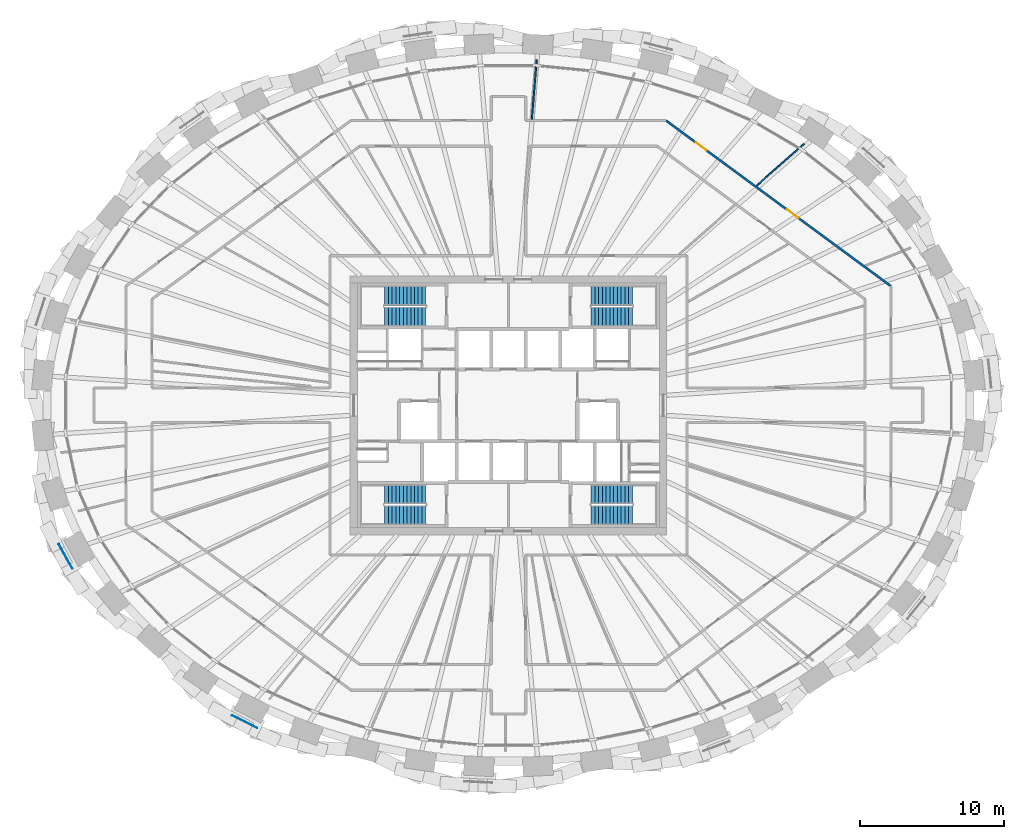
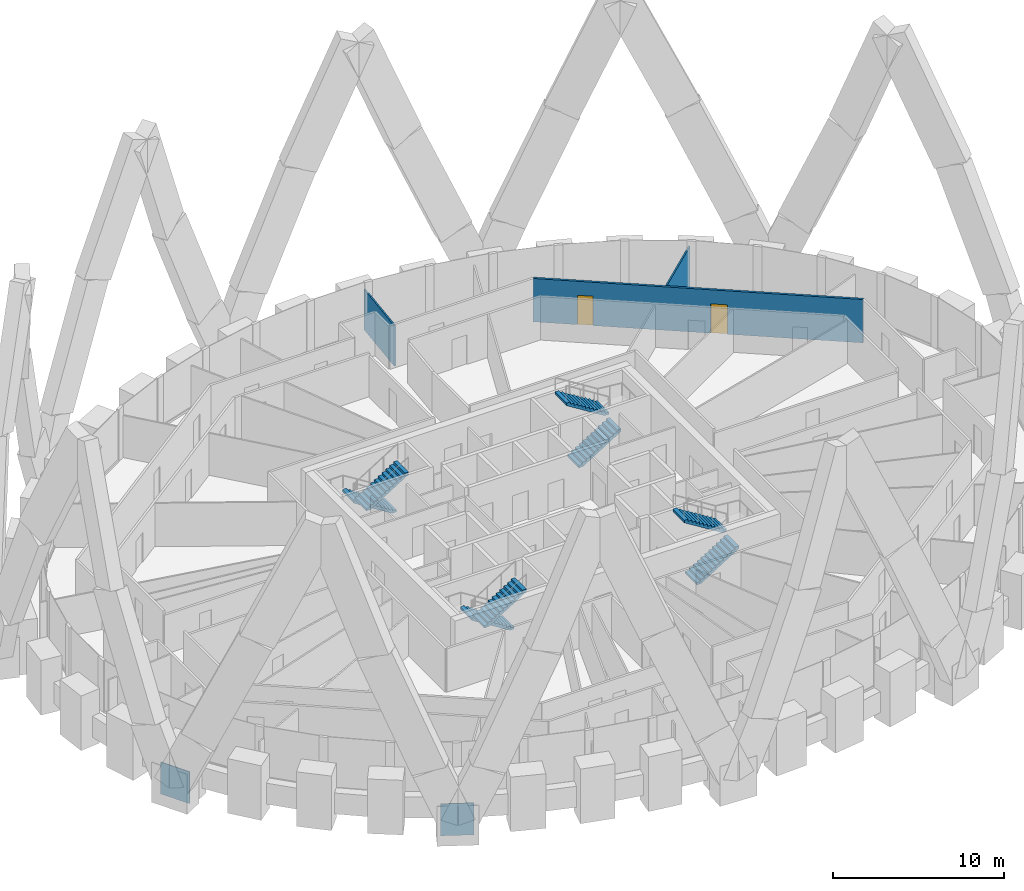
# One storey, part 13 of 15: 8 stair flights, 3 walls, 2 discrete accessories, 2 doors, 2 openings, 4 elements without a shape of their own.
"""IFC4 building model written with IfcOpenShell, lengths in metres."""

from ifc_helpers import new_model, si_unit, direction, frame, frame_2d, origin, origin_2d, place, context, subcontext, project, spatial, polyline, rectangle, outline, extrude, source, transform, mapped, material, layer, layer_set, type_object, element, fill, aggregate, save


model = new_model("IFC4")

# Units and contexts
model_context = context("Model", 3, precision=1e-05, world=origin(), true_north=direction((0.0, 1.0)))
body_context = subcontext(model_context, "Body", "Model", "MODEL_VIEW")
ifc_project = project(units=[si_unit("LENGTHUNIT", "METRE"), si_unit("AREAUNIT", "SQUARE_METRE"), si_unit("VOLUMEUNIT", "CUBIC_METRE"), si_unit("PLANEANGLEUNIT", "RADIAN"), si_unit("MASSUNIT", "GRAM", prefix="KILO")], contexts=[model_context])

# Site, building, storey
site_placement = place(None, origin())
site = spatial("IfcSite", under=ifc_project, at=site_placement, CompositionType="ELEMENT")
building_placement = place(site_placement, origin())
building = spatial("IfcBuilding", under=site, at=building_placement, Name="Embergate Tower", CompositionType="ELEMENT")
storey_placement = place(building_placement, frame((0.0, 0.0, 277.300048828125)))
storey = spatial("IfcBuildingStorey", under=building, at=storey_placement, Name="L64", CompositionType="ELEMENT", Elevation=277.300048828125)

# Walls
ifc_material_1 = material(Name="Partition dry-lined 100")
ifc_layer_1 = layer(ifc_material_1, 0.10009765625)
ifc_layer_set_1 = layer_set([ifc_layer_1], Name="Partition dry-lined 100")
wall_type_1 = type_object("IfcWallType", Name="Partition dry-lined 100", PredefinedType="PARTITIONING", material=ifc_layer_set_1)
shared_shape_1 = source(origin(), body_context, "Body", "SweptSolid", [
    extrude(rectangle(XDim=4.40869140625, YDim=0.10009765625, at=frame_2d((2.204345703125, 0.0))), origin(), (0.0, 0.0, 1.0), 3.0),
])
wall_1_placement = place(storey_placement, frame((20.5439453125, 18.18505859375, 0.0), z_axis=(0.0, 0.0, 1.0), x_axis=(-0.748773489232, -0.662825966468, 0.0)))
element("IfcWall", 1, at=wall_1_placement, inside=storey, type_object=wall_type_1, Name="IP-1 wall", PredefinedType="PARTITIONING", context=body_context, shape_type="MappedRepresentation", body=[
    mapped(shared_shape_1, transform((0.0, 0.0, 0.0))),
])
shared_shape_2 = source(origin(), body_context, "Body", "SweptSolid", [
    extrude(rectangle(XDim=4.148681640625, YDim=0.10009765625, at=frame_2d((2.07421875, 0.0))), origin(), (0.0, 0.0, 1.0), 2.89990234375),
])
wall_2_placement = place(storey_placement, frame((1.6240234375, 19.8759765625, 0.0), z_axis=(0.0, 0.0, 1.0), x_axis=(0.081209302503, 0.99669706992, 0.0)))
element("IfcWall", 2, at=wall_2_placement, inside=storey, type_object=wall_type_1, Name="IP-1 wall", PredefinedType="PARTITIONING", context=body_context, shape_type="MappedRepresentation", body=[
    mapped(shared_shape_2, transform((0.0, 0.0, 0.0))),
])

# Wall, openings, doors
ifc_material_2 = material(Name="Corridor wall dry-lined 150")
ifc_layer_2 = layer(ifc_material_2, 0.14990234375)
ifc_layer_set_2 = layer_set([ifc_layer_2], Name="Corridor wall dry-lined 150")
wall_type_2 = type_object("IfcWallType", Name="Corridor wall dry-lined 150", PredefinedType="PARTITIONING", material=ifc_layer_set_2)
shared_shape_3 = source(origin(), body_context, "Body", "SweptSolid", [
    extrude(rectangle(XDim=19.429931640625, YDim=0.14990234375, at=frame_2d((9.71484375, 0.0))), origin(), (0.0, 0.0, 1.0), 3.099853515625),
])
wall_3_placement = place(storey_placement, frame((26.5810546875, 8.283935546875, 0.0), z_axis=(0.0, 0.0, 1.0), x_axis=(-0.8053507143, 0.592798639486, 0.0)))
wall_3 = element("IfcWall", 3, at=wall_3_placement, inside=storey, type_object=wall_type_2, Name="IP-2 wall", PredefinedType="PARTITIONING", context=body_context, shape_type="MappedRepresentation", body=[
    mapped(shared_shape_3, transform((0.0, 0.0, 0.0))),
])
shared_shape_4 = source(origin(), body_context, "Body", "SweptSolid", [
    extrude(rectangle(XDim=1.0, YDim=2.10009765625, at=frame_2d((0.5, 1.050048828125))), frame((0.0, 0.0849609375, 0.0), z_axis=(0.0, -1.0, 0.0), x_axis=(1.0, 0.0, 0.0)), (0.0, 0.0, 1.0), 0.169921875),
])
opening_1_placement = place(wall_3_placement, frame((7.97607421875, 0.0, 0.0)))
opening_1 = element("IfcOpeningElement", 4, at=opening_1_placement, cuts=wall_3, Name="Opening ID-2", PredefinedType="OPENING", context=body_context, shape_type="MappedRepresentation", body=[
    mapped(shared_shape_4, transform((0.0, 0.0, 0.0))),
])
shared_shape_5 = source(origin(), body_context, "Body", "SweptSolid", [
    extrude(rectangle(XDim=0.89990234375, YDim=2.10009765625, at=frame_2d((0.449951171875, 1.050048828125))), frame((0.0, 0.0849609375, 0.0), z_axis=(0.0, -1.0, 0.0), x_axis=(1.0, 0.0, 0.0)), (0.0, 0.0, 1.0), 0.169921875),
])
opening_2_placement = place(wall_3_placement, frame((15.9150390625, 0.0, 0.0)))
opening_2 = element("IfcOpeningElement", 5, at=opening_2_placement, cuts=wall_3, Name="Opening IF-1c", PredefinedType="OPENING", context=body_context, shape_type="MappedRepresentation", body=[
    mapped(shared_shape_5, transform((0.0, 0.0, 0.0))),
])
ifc_material_3 = material(Name="Escape fire door 900")
door_type_1 = type_object("IfcDoorType", Name="Escape fire door 900", OperationType="SINGLE_SWING_LEFT", PredefinedType="DOOR", material=ifc_material_3)
shared_shape_6 = source(origin(), body_context, "Body", "SweptSolid", [
    extrude(rectangle(XDim=0.89990234375, YDim=2.10009765625, at=frame_2d((0.449951171875, 1.050048828125))), frame((0.0, 0.02490234375, 0.0), z_axis=(0.0, -1.0, 0.0), x_axis=(1.0, 0.0, 0.0)), (0.0, 0.0, 1.0), 0.050048828125),
])
door_1_placement = place(opening_2_placement, origin())
door_1 = element("IfcDoor", 6, at=door_1_placement, inside=storey, type_object=door_type_1, Name="IF-1 door", OperationType="SINGLE_SWING_LEFT", OverallHeight=2.10009765625, OverallWidth=0.89990234375, PredefinedType="DOOR", context=body_context, shape_type="MappedRepresentation", body=[
    mapped(shared_shape_6, transform((0.0, 0.0, 0.0))),
])
fill(opening_2, door_1)
ifc_material_4 = material(Name="Interior door 1000")
door_type_2 = type_object("IfcDoorType", Name="Interior door 1000", OperationType="SINGLE_SWING_LEFT", PredefinedType="DOOR", material=ifc_material_4)
shared_shape_7 = source(origin(), body_context, "Body", "SweptSolid", [
    extrude(rectangle(XDim=1.0, YDim=2.10009765625, at=frame_2d((0.5, 1.050048828125))), frame((0.0, 0.02490234375, 0.0), z_axis=(0.0, -1.0, 0.0), x_axis=(1.0, 0.0, 0.0)), (0.0, 0.0, 1.0), 0.050048828125),
])
door_2_placement = place(opening_1_placement, origin())
door_2 = element("IfcDoor", 7, at=door_2_placement, inside=storey, type_object=door_type_2, Name="ID-2 door", OperationType="SINGLE_SWING_RIGHT", OverallHeight=2.10009765625, OverallWidth=1.0, PredefinedType="DOOR", context=body_context, shape_type="MappedRepresentation", body=[
    mapped(shared_shape_7, transform((0.0, 0.0, 0.0))),
])
fill(opening_1, door_2)

# Stair, stair flights
ifc_material_5 = material(Name="Exit stair")
stair_type = type_object("IfcStairType", Name="Exit stair", PredefinedType="HALF_TURN_STAIR", material=ifc_material_5)
stair_1_placement = place(storey_placement, origin())
stair_1 = element("IfcStair", 8, at=stair_1_placement, inside=storey, type_object=stair_type, Name="L64 Exit stair 1", PredefinedType="HALF_TURN_STAIR")
ifc_material_6 = material(Name="Concrete C40", Category="concrete")
stair_flight_type = type_object("IfcStairFlightType", Name="Stair flight reinforced concrete", PredefinedType="STRAIGHT", material=ifc_material_6)
shared_shape_8 = source(origin(), body_context, "Body", "SweptSolid", [
    extrude(outline(polyline([(0.0, 0.0), (0.0, 0.16259765625), (0.260009765625, 0.16259765625), (0.260009765625, 0.324951171875), (0.52001953125, 0.324951171875), (0.52001953125, 0.487548828125), (0.780029296875, 0.487548828125), (0.780029296875, 0.64990234375), (1.0400390625, 0.64990234375), (1.0400390625, 0.8125), (1.300048828125, 0.8125), (1.300048828125, 0.97509765625), (1.56005859375, 0.97509765625), (1.56005859375, 1.137451171875), (1.820068359375, 1.137451171875), (1.820068359375, 1.300048828125), (2.080078125, 1.300048828125), (2.080078125, 1.46240234375), (2.340087890625, 1.46240234375), (2.340087890625, 1.625), (2.60009765625, 1.625), (2.60009765625, 1.78759765625), (2.860107421875, 1.78759765625), (2.860107421875, 1.949951171875), (2.860107421875, 1.61083984375), (0.28271484375, 0.0), (0.0, 0.0)])), frame((0.0, 0.675048828125, 0.0), z_axis=(0.0, -1.0, 0.0), x_axis=(1.0, 0.0, 0.0)), (0.0, 0.0, 1.0), 1.35009765625),
])
stair_flight_1_placement = place(storey_placement, frame((-5.75, 7.625, 0.0), z_axis=(0.0, 0.0, 1.0), x_axis=(-1.0, 0.0, 0.0)))
stair_flight_1 = element("IfcStairFlight", 9, at=stair_flight_1_placement, type_object=stair_flight_type, Name="ST1 flight 1", NumberOfRisers=12, NumberOfTreads=11, PredefinedType="STRAIGHT", RiserHeight=0.1625, TreadLength=0.26, context=body_context, shape_type="MappedRepresentation", body=[
    mapped(shared_shape_8, transform((0.0, 0.0, 0.0))),
])
stair_flight_2_placement = place(storey_placement, frame((-8.610107421875, 6.175048828125, 1.949951171875), z_axis=(0.0, 0.0, 1.0), x_axis=(1.0, 0.0, 0.0)))
stair_flight_2 = element("IfcStairFlight", 10, at=stair_flight_2_placement, type_object=stair_flight_type, Name="ST1 flight 2", NumberOfRisers=12, NumberOfTreads=11, PredefinedType="STRAIGHT", RiserHeight=0.1625, TreadLength=0.26, context=body_context, shape_type="MappedRepresentation", body=[
    mapped(shared_shape_8, transform((0.0, 0.0, 0.0))),
])
aggregate(stair_1, [stair_flight_1, stair_flight_2])

stair_2_placement = place(storey_placement, origin())
stair_2 = element("IfcStair", 11, at=stair_2_placement, inside=storey, type_object=stair_type, Name="L64 Exit stair 2", PredefinedType="HALF_TURN_STAIR")
stair_flight_3_placement = place(storey_placement, frame((5.75, 6.175048828125, 0.0), z_axis=(0.0, 0.0, 1.0), x_axis=(1.0, 0.0, 0.0)))
stair_flight_3 = element("IfcStairFlight", 12, at=stair_flight_3_placement, type_object=stair_flight_type, Name="ST2 flight 1", NumberOfRisers=12, NumberOfTreads=11, PredefinedType="STRAIGHT", RiserHeight=0.1625, TreadLength=0.26, context=body_context, shape_type="MappedRepresentation", body=[
    mapped(shared_shape_8, transform((0.0, 0.0, 0.0))),
])
stair_flight_4_placement = place(storey_placement, frame((8.610107421875, 7.625, 1.949951171875), z_axis=(0.0, 0.0, 1.0), x_axis=(-1.0, 0.0, 0.0)))
stair_flight_4 = element("IfcStairFlight", 13, at=stair_flight_4_placement, type_object=stair_flight_type, Name="ST2 flight 2", NumberOfRisers=12, NumberOfTreads=11, PredefinedType="STRAIGHT", RiserHeight=0.1625, TreadLength=0.26, context=body_context, shape_type="MappedRepresentation", body=[
    mapped(shared_shape_8, transform((0.0, 0.0, 0.0))),
])
aggregate(stair_2, [stair_flight_3, stair_flight_4])

stair_3_placement = place(storey_placement, origin())
stair_3 = element("IfcStair", 14, at=stair_3_placement, inside=storey, type_object=stair_type, Name="L64 Exit stair 3", PredefinedType="HALF_TURN_STAIR")
stair_flight_5_placement = place(storey_placement, frame((-5.75, -6.175048828125, 0.0), z_axis=(0.0, 0.0, 1.0), x_axis=(-1.0, 0.0, 0.0)))
stair_flight_5 = element("IfcStairFlight", 15, at=stair_flight_5_placement, type_object=stair_flight_type, Name="ST3 flight 1", NumberOfRisers=12, NumberOfTreads=11, PredefinedType="STRAIGHT", RiserHeight=0.1625, TreadLength=0.26, context=body_context, shape_type="MappedRepresentation", body=[
    mapped(shared_shape_8, transform((0.0, 0.0, 0.0))),
])
stair_flight_6_placement = place(storey_placement, frame((-8.610107421875, -7.625, 1.949951171875), z_axis=(0.0, 0.0, 1.0), x_axis=(1.0, 0.0, 0.0)))
stair_flight_6 = element("IfcStairFlight", 16, at=stair_flight_6_placement, type_object=stair_flight_type, Name="ST3 flight 2", NumberOfRisers=12, NumberOfTreads=11, PredefinedType="STRAIGHT", RiserHeight=0.1625, TreadLength=0.26, context=body_context, shape_type="MappedRepresentation", body=[
    mapped(shared_shape_8, transform((0.0, 0.0, 0.0))),
])
aggregate(stair_3, [stair_flight_5, stair_flight_6])

stair_4_placement = place(storey_placement, origin())
stair_4 = element("IfcStair", 17, at=stair_4_placement, inside=storey, type_object=stair_type, Name="L64 Exit stair 4", PredefinedType="HALF_TURN_STAIR")
stair_flight_7_placement = place(storey_placement, frame((5.75, -7.625, 0.0), z_axis=(0.0, 0.0, 1.0), x_axis=(1.0, 0.0, 0.0)))
stair_flight_7 = element("IfcStairFlight", 18, at=stair_flight_7_placement, type_object=stair_flight_type, Name="ST4 flight 1", NumberOfRisers=12, NumberOfTreads=11, PredefinedType="STRAIGHT", RiserHeight=0.1625, TreadLength=0.26, context=body_context, shape_type="MappedRepresentation", body=[
    mapped(shared_shape_8, transform((0.0, 0.0, 0.0))),
])
stair_flight_8_placement = place(storey_placement, frame((8.610107421875, -6.175048828125, 1.949951171875), z_axis=(0.0, 0.0, 1.0), x_axis=(-1.0, 0.0, 0.0)))
stair_flight_8 = element("IfcStairFlight", 19, at=stair_flight_8_placement, type_object=stair_flight_type, Name="ST4 flight 2", NumberOfRisers=12, NumberOfTreads=11, PredefinedType="STRAIGHT", RiserHeight=0.1625, TreadLength=0.26, context=body_context, shape_type="MappedRepresentation", body=[
    mapped(shared_shape_8, transform((0.0, 0.0, 0.0))),
])
aggregate(stair_4, [stair_flight_7, stair_flight_8])

# Discrete accessories
ifc_material_7 = material(Name="Steel Q355D plate", Category="steel")
discrete_accessory_type = type_object("IfcDiscreteAccessoryType", Name="Lattice node plate", PredefinedType="USERDEFINED", material=ifc_material_7)
shared_shape_9 = source(origin(), body_context, "Body", "SweptSolid", [
    extrude(rectangle(XDim=1.9599609375, YDim=0.050048828125, at=origin_2d()), origin(), (0.0, 0.0, 1.0), 2.280029296875),
])
for number, where, z_axis, x_axis, name in (
    (20, (-30.77490234375, -10.501953125, -1.14013671875), (0.0, 0.0, 1.0), (0.486838556403, -0.873491969053, 0.0), "Node plate"),
    (21, (-18.330078125, -21.990966796875, -1.14013671875), (0.0, 0.0, 1.0), (0.891513080478, -0.452994952881, 0.0), "Node plate"),
):
    element("IfcDiscreteAccessory", number, at=place(storey_placement, frame(where, z_axis=z_axis, x_axis=x_axis)), inside=storey, type_object=discrete_accessory_type, Name=name, ObjectType="BRACKET", PredefinedType="USERDEFINED", context=body_context, shape_type="MappedRepresentation", body=[
        mapped(shared_shape_9, transform((0.0, 0.0, 0.0))),
    ])

save(model, "model.ifc")
